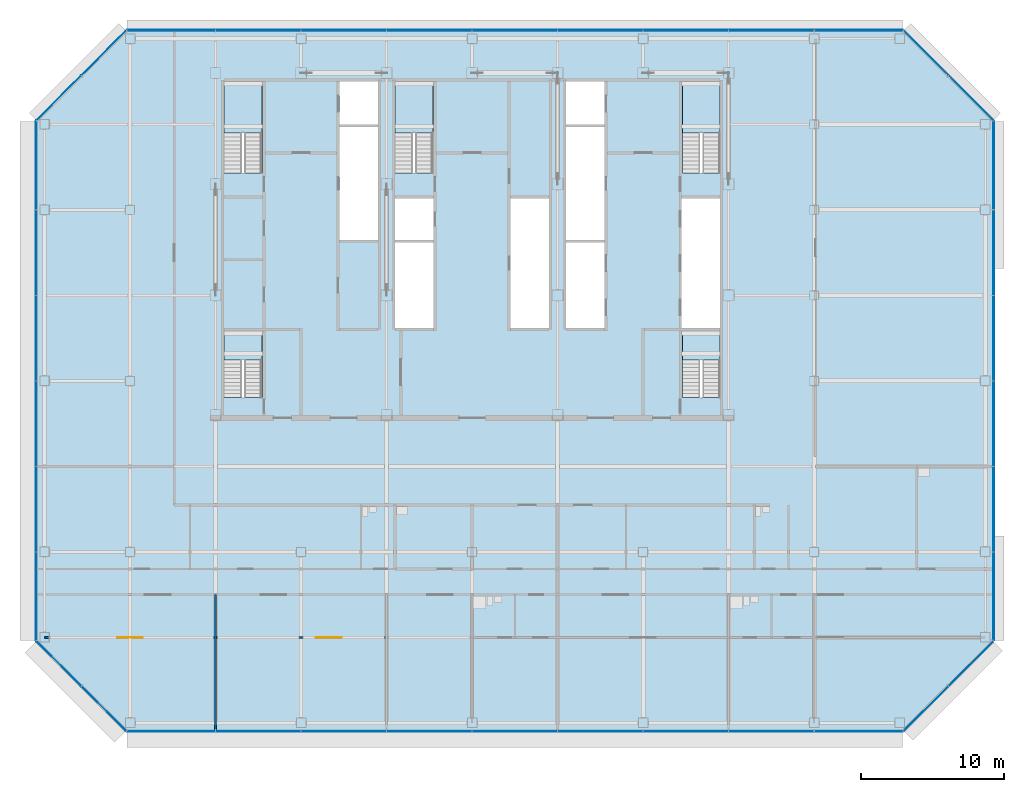
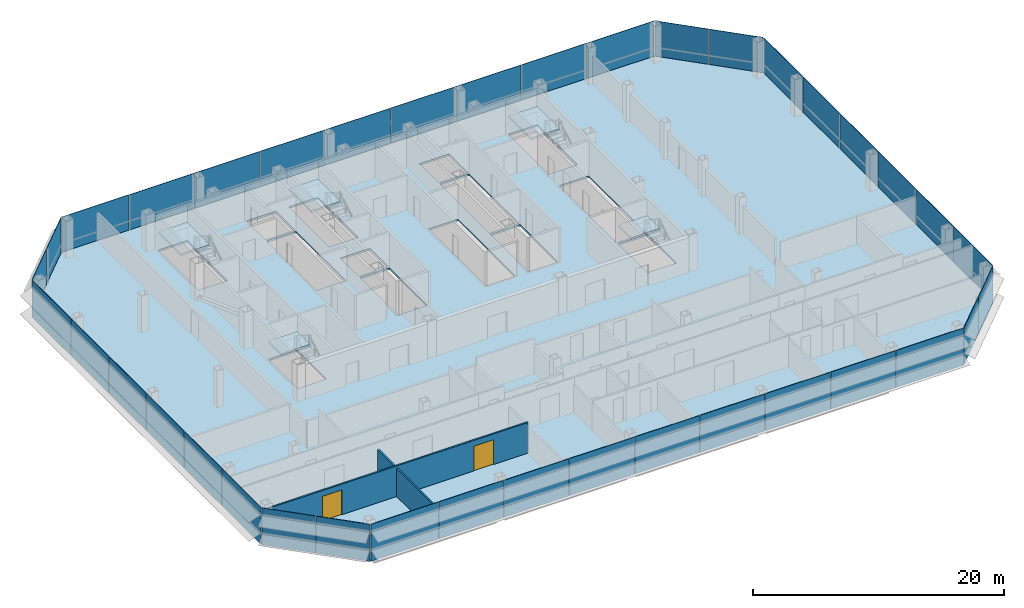
# One storey, part 18 of 24: 38 plates, 6 slabs, 2 doors, 2 walls, 2 openings, 13 elements without a shape of their own.
"""IFC4 building model written with IfcOpenShell, lengths in metres."""

from ifc_helpers import new_model, si_unit, direction, frame, frame_2d, origin, origin_2d, place, context, subcontext, project, spatial, polyline, rectangle, outline, extrude, material, layer, layer_set, type_object, element, fill, aggregate, save


model = new_model("IFC4")

# Units and contexts
model_context = context("Model", 3, precision=1e-05, world=origin(), true_north=direction((0.0, 1.0)))
body_context = subcontext(model_context, "Body", "Model", "MODEL_VIEW")
ifc_project = project(units=[si_unit("LENGTHUNIT", "METRE"), si_unit("AREAUNIT", "SQUARE_METRE"), si_unit("VOLUMEUNIT", "CUBIC_METRE"), si_unit("PLANEANGLEUNIT", "RADIAN"), si_unit("MASSUNIT", "GRAM", prefix="KILO")], contexts=[model_context])

# Site, building, storey
site_placement = place(None, origin())
site = spatial("IfcSite", under=ifc_project, at=site_placement, CompositionType="ELEMENT")
building_placement = place(site_placement, origin())
building = spatial("IfcBuilding", under=site, at=building_placement, Name="Sorahane Residences", CompositionType="ELEMENT")
storey_placement = place(building_placement, frame((0.0, 0.0, 170.800048828125)))
storey = spatial("IfcBuildingStorey", under=building, at=storey_placement, Name="L39", CompositionType="ELEMENT", Elevation=170.800048828125)

# Slab
ifc_material_1 = material(Name="Concrete C35", Category="concrete")
ifc_layer_1 = layer(ifc_material_1, 0.179931640625)
ifc_layer_set_1 = layer_set([ifc_layer_1], Name="Composite floor slab 180 mm Concrete C35")
slab_type_1 = type_object("IfcSlabType", Name="Composite floor slab 180 mm Concrete C35", PredefinedType="FLOOR", material=ifc_layer_set_1)
slab_1_placement = place(storey_placement, frame((0.0, 0.0, -0.179931640625)))
element("IfcSlab", 1, at=slab_1_placement, inside=storey, type_object=slab_type_1, Name="Slab L39", PredefinedType="FLOOR", context=body_context, shape_type="SweptSolid", body=[
    extrude(outline(polyline([(-0.24853515625, -0.60009765625), (-6.60009765625, 5.75146484375), (-6.60009765625, 42.24853515625), (-0.24853515625, 48.60009765625), (54.24853515625, 48.60009765625), (60.60009765625, 42.24853515625), (60.60009765625, 5.75146484375), (54.24853515625, -0.60009765625), (-0.24853515625, -0.60009765625)]), holes=[polyline([(18.60009765625, 27.699951171875), (21.300048828125, 27.699951171875), (21.300048828125, 33.699951171875), (18.60009765625, 33.699951171875), (18.60009765625, 27.699951171875)]), polyline([(38.699951171875, 27.699951171875), (41.39990234375, 27.699951171875), (41.39990234375, 36.800048828125), (38.699951171875, 36.800048828125), (38.699951171875, 27.699951171875)]), polyline([(30.60009765625, 27.699951171875), (33.300048828125, 27.699951171875), (33.300048828125, 33.699951171875), (30.60009765625, 33.699951171875), (30.60009765625, 27.699951171875)]), polyline([(30.60009765625, 42.0), (33.300048828125, 42.0), (33.300048828125, 45.0), (30.60009765625, 45.0), (30.60009765625, 42.0)]), polyline([(14.699951171875, 42.0), (17.39990234375, 42.0), (17.39990234375, 45.0), (14.699951171875, 45.0), (14.699951171875, 42.0)]), polyline([(9.25, 38.60009765625), (9.25, 45.0), (6.60009765625, 45.0), (6.60009765625, 38.60009765625), (9.25, 38.60009765625)]), polyline([(41.39990234375, 38.60009765625), (41.39990234375, 45.0), (38.75, 45.0), (38.75, 38.60009765625), (41.39990234375, 38.60009765625)]), polyline([(21.25, 38.60009765625), (21.25, 45.0), (18.60009765625, 45.0), (18.60009765625, 38.60009765625), (21.25, 38.60009765625)]), polyline([(9.25, 22.85009765625), (9.25, 27.5), (6.60009765625, 27.5), (6.60009765625, 22.85009765625), (9.25, 22.85009765625)]), polyline([(41.39990234375, 22.85009765625), (41.39990234375, 27.5), (38.75, 27.5), (38.75, 22.85009765625), (41.39990234375, 22.85009765625)]), polyline([(14.699951171875, 33.89990234375), (17.39990234375, 33.89990234375), (17.39990234375, 41.800048828125), (14.699951171875, 41.800048828125), (14.699951171875, 33.89990234375)]), polyline([(30.60009765625, 33.89990234375), (33.300048828125, 33.89990234375), (33.300048828125, 41.800048828125), (30.60009765625, 41.800048828125), (30.60009765625, 33.89990234375)]), polyline([(18.60009765625, 33.89990234375), (21.300048828125, 33.89990234375), (21.300048828125, 36.800048828125), (18.60009765625, 36.800048828125), (18.60009765625, 33.89990234375)]), polyline([(26.699951171875, 27.699951171875), (29.39990234375, 27.699951171875), (29.39990234375, 36.800048828125), (26.699951171875, 36.800048828125), (26.699951171875, 27.699951171875)])]), origin(), (0.0, 0.0, 1.0), 0.179931640625),
])

# Curtain wall, plates
ifc_material_2 = material(Name="Dark low-e glass and black anodised aluminium", Category="aluminium")
curtain_wall_type_1 = type_object("IfcCurtainWallType", Name="Curtain wall CW-1 Typical unitised wall", PredefinedType="NOTDEFINED", material=ifc_material_2)
curtain_wall_1_placement = place(storey_placement, origin())
curtain_wall_1 = element("IfcCurtainWall", 2, at=curtain_wall_1_placement, inside=storey, type_object=curtain_wall_type_1, Name="CW-1 curtain wall L39 S1", PredefinedType="NOTDEFINED")
ifc_material_3 = material(Name="Dark low-e glass with black ceramic frit", Category="glass")
ifc_layer_2 = layer(ifc_material_3, 0.0400390625)
ifc_layer_set_2 = layer_set([ifc_layer_2], Name="Curtain wall glass panel dark low-e with black frit spandrel band")
plate_type = type_object("IfcPlateType", Name="Curtain wall glass panel dark low-e with black frit spandrel band", PredefinedType="CURTAIN_PANEL", material=ifc_layer_set_2)
plate_1_placement = place(storey_placement, frame((2.88818359375, -0.60009765625, -0.18017578125), z_axis=(0.0, 0.0, 1.0), x_axis=(1.0, 0.0, 0.0)))
plate_1 = element("IfcPlate", 3, at=plate_1_placement, type_object=plate_type, Name="CW-1 glass panel L39 S1.1", PredefinedType="CURTAIN_PANEL", context=body_context, shape_type="SweptSolid", body=[
    extrude(rectangle(XDim=6.173583984375, YDim=0.0400390625, at=origin_2d()), origin(), (0.0, 0.0, 1.0), 3.60009765625),
])
plate_2_placement = place(storey_placement, frame((9.0, -0.60009765625, -0.18017578125), z_axis=(0.0, 0.0, 1.0), x_axis=(1.0, 0.0, 0.0)))
plate_2 = element("IfcPlate", 4, at=plate_2_placement, type_object=plate_type, Name="CW-1 glass panel L39 S1.2", PredefinedType="CURTAIN_PANEL", context=body_context, shape_type="SweptSolid", body=[
    extrude(rectangle(XDim=5.949951171875, YDim=0.0400390625, at=origin_2d()), origin(), (0.0, 0.0, 1.0), 3.60009765625),
])
plate_3_placement = place(storey_placement, frame((15.0, -0.60009765625, -0.18017578125), z_axis=(0.0, 0.0, 1.0), x_axis=(1.0, 0.0, 0.0)))
plate_3 = element("IfcPlate", 5, at=plate_3_placement, type_object=plate_type, Name="CW-1 glass panel L39 S1.3", PredefinedType="CURTAIN_PANEL", context=body_context, shape_type="SweptSolid", body=[
    extrude(rectangle(XDim=5.949951171875, YDim=0.0400390625, at=origin_2d()), origin(), (0.0, 0.0, 1.0), 3.60009765625),
])
plate_4_placement = place(storey_placement, frame((21.0, -0.60009765625, -0.18017578125), z_axis=(0.0, 0.0, 1.0), x_axis=(1.0, 0.0, 0.0)))
plate_4 = element("IfcPlate", 6, at=plate_4_placement, type_object=plate_type, Name="CW-1 glass panel L39 S1.4", PredefinedType="CURTAIN_PANEL", context=body_context, shape_type="SweptSolid", body=[
    extrude(rectangle(XDim=5.949951171875, YDim=0.0400390625, at=origin_2d()), origin(), (0.0, 0.0, 1.0), 3.60009765625),
])
plate_5_placement = place(storey_placement, frame((27.0, -0.60009765625, -0.18017578125), z_axis=(0.0, 0.0, 1.0), x_axis=(1.0, 0.0, 0.0)))
plate_5 = element("IfcPlate", 7, at=plate_5_placement, type_object=plate_type, Name="CW-1 glass panel L39 S1.5", PredefinedType="CURTAIN_PANEL", context=body_context, shape_type="SweptSolid", body=[
    extrude(rectangle(XDim=5.949951171875, YDim=0.0400390625, at=origin_2d()), origin(), (0.0, 0.0, 1.0), 3.60009765625),
])
plate_6_placement = place(storey_placement, frame((33.0, -0.60009765625, -0.18017578125), z_axis=(0.0, 0.0, 1.0), x_axis=(1.0, 0.0, 0.0)))
plate_6 = element("IfcPlate", 8, at=plate_6_placement, type_object=plate_type, Name="CW-1 glass panel L39 S1.6", PredefinedType="CURTAIN_PANEL", context=body_context, shape_type="SweptSolid", body=[
    extrude(rectangle(XDim=5.949951171875, YDim=0.0400390625, at=origin_2d()), origin(), (0.0, 0.0, 1.0), 3.60009765625),
])
plate_7_placement = place(storey_placement, frame((39.0, -0.60009765625, -0.18017578125), z_axis=(0.0, 0.0, 1.0), x_axis=(1.0, 0.0, 0.0)))
plate_7 = element("IfcPlate", 9, at=plate_7_placement, type_object=plate_type, Name="CW-1 glass panel L39 S1.7", PredefinedType="CURTAIN_PANEL", context=body_context, shape_type="SweptSolid", body=[
    extrude(rectangle(XDim=5.949951171875, YDim=0.0400390625, at=origin_2d()), origin(), (0.0, 0.0, 1.0), 3.60009765625),
])
plate_8_placement = place(storey_placement, frame((45.0, -0.60009765625, -0.18017578125), z_axis=(0.0, 0.0, 1.0), x_axis=(1.0, 0.0, 0.0)))
plate_8 = element("IfcPlate", 10, at=plate_8_placement, type_object=plate_type, Name="CW-1 glass panel L39 S1.8", PredefinedType="CURTAIN_PANEL", context=body_context, shape_type="SweptSolid", body=[
    extrude(rectangle(XDim=5.949951171875, YDim=0.0400390625, at=origin_2d()), origin(), (0.0, 0.0, 1.0), 3.60009765625),
])
plate_9_placement = place(storey_placement, frame((51.11181640625, -0.60009765625, -0.18017578125), z_axis=(0.0, 0.0, 1.0), x_axis=(1.0, 0.0, 0.0)))
plate_9 = element("IfcPlate", 11, at=plate_9_placement, type_object=plate_type, Name="CW-1 glass panel L39 S1.9", PredefinedType="CURTAIN_PANEL", context=body_context, shape_type="SweptSolid", body=[
    extrude(rectangle(XDim=6.173583984375, YDim=0.0400390625, at=origin_2d()), origin(), (0.0, 0.0, 1.0), 3.60009765625),
])
aggregate(curtain_wall_1, [plate_1, plate_2, plate_3, plate_4, plate_5, plate_6, plate_7, plate_8, plate_9])

ifc_material_4 = material(Name="Dark low-e glass and black anodised aluminium", Category="aluminium")
curtain_wall_type_2 = type_object("IfcCurtainWallType", Name="Curtain wall CW-2 Chamfer unitised wall", PredefinedType="NOTDEFINED", material=ifc_material_4)
curtain_wall_2_placement = place(storey_placement, origin())
curtain_wall_2 = element("IfcCurtainWall", 12, at=curtain_wall_2_placement, inside=storey, type_object=curtain_wall_type_2, Name="CW-2 curtain wall L39 SE1", PredefinedType="NOTDEFINED")
plate_10_placement = place(storey_placement, frame((55.84521484375, 0.996826171875, -0.18017578125), z_axis=(0.0, 0.0, 1.0), x_axis=(0.707106781187, 0.707106781187, 0.0)))
plate_10 = element("IfcPlate", 13, at=plate_10_placement, type_object=plate_type, Name="CW-2 glass panel L39 SE1.1", PredefinedType="CURTAIN_PANEL", context=body_context, shape_type="SweptSolid", body=[
    extrude(rectangle(XDim=4.416259765625, YDim=0.0400390625, at=origin_2d()), origin(), (0.0, 0.0, 1.0), 3.60009765625),
])
plate_11_placement = place(storey_placement, frame((59.003173828125, 4.15478515625, -0.18017578125), z_axis=(0.0, 0.0, 1.0), x_axis=(0.707106781187, 0.707106781187, 0.0)))
plate_11 = element("IfcPlate", 14, at=plate_11_placement, type_object=plate_type, Name="CW-2 glass panel L39 SE1.2", PredefinedType="CURTAIN_PANEL", context=body_context, shape_type="SweptSolid", body=[
    extrude(rectangle(XDim=4.416259765625, YDim=0.0400390625, at=origin_2d()), origin(), (0.0, 0.0, 1.0), 3.60009765625),
])
aggregate(curtain_wall_2, [plate_10, plate_11])

curtain_wall_3_placement = place(storey_placement, origin())
curtain_wall_3 = element("IfcCurtainWall", 15, at=curtain_wall_3_placement, inside=storey, type_object=curtain_wall_type_1, Name="CW-1 curtain wall L39 E1", PredefinedType="NOTDEFINED")
plate_12_placement = place(storey_placement, frame((60.60009765625, 8.88818359375, -0.18017578125), z_axis=(0.0, 0.0, 1.0), x_axis=(0.0, 1.0, 0.0)))
plate_12 = element("IfcPlate", 16, at=plate_12_placement, type_object=plate_type, Name="CW-1 glass panel L39 E1.1", PredefinedType="CURTAIN_PANEL", context=body_context, shape_type="SweptSolid", body=[
    extrude(rectangle(XDim=6.173583984375, YDim=0.0400390625, at=origin_2d()), origin(), (0.0, 0.0, 1.0), 3.60009765625),
])
plate_13_placement = place(storey_placement, frame((60.60009765625, 15.0, -0.18017578125), z_axis=(0.0, 0.0, 1.0), x_axis=(0.0, 1.0, 0.0)))
plate_13 = element("IfcPlate", 17, at=plate_13_placement, type_object=plate_type, Name="CW-1 glass panel L39 E1.2", PredefinedType="CURTAIN_PANEL", context=body_context, shape_type="SweptSolid", body=[
    extrude(rectangle(XDim=5.949951171875, YDim=0.0400390625, at=origin_2d()), origin(), (0.0, 0.0, 1.0), 3.60009765625),
])
plate_14_placement = place(storey_placement, frame((60.60009765625, 21.0, -0.18017578125), z_axis=(0.0, 0.0, 1.0), x_axis=(0.0, 1.0, 0.0)))
plate_14 = element("IfcPlate", 18, at=plate_14_placement, type_object=plate_type, Name="CW-1 glass panel L39 E1.3", PredefinedType="CURTAIN_PANEL", context=body_context, shape_type="SweptSolid", body=[
    extrude(rectangle(XDim=5.949951171875, YDim=0.0400390625, at=origin_2d()), origin(), (0.0, 0.0, 1.0), 3.60009765625),
])
plate_15_placement = place(storey_placement, frame((60.60009765625, 27.0, -0.18017578125), z_axis=(0.0, 0.0, 1.0), x_axis=(0.0, 1.0, 0.0)))
plate_15 = element("IfcPlate", 19, at=plate_15_placement, type_object=plate_type, Name="CW-1 glass panel L39 E1.4", PredefinedType="CURTAIN_PANEL", context=body_context, shape_type="SweptSolid", body=[
    extrude(rectangle(XDim=5.949951171875, YDim=0.0400390625, at=origin_2d()), origin(), (0.0, 0.0, 1.0), 3.60009765625),
])
plate_16_placement = place(storey_placement, frame((60.60009765625, 33.0, -0.18017578125), z_axis=(0.0, 0.0, 1.0), x_axis=(0.0, 1.0, 0.0)))
plate_16 = element("IfcPlate", 20, at=plate_16_placement, type_object=plate_type, Name="CW-1 glass panel L39 E1.5", PredefinedType="CURTAIN_PANEL", context=body_context, shape_type="SweptSolid", body=[
    extrude(rectangle(XDim=5.949951171875, YDim=0.0400390625, at=origin_2d()), origin(), (0.0, 0.0, 1.0), 3.60009765625),
])
plate_17_placement = place(storey_placement, frame((60.60009765625, 39.11181640625, -0.18017578125), z_axis=(0.0, 0.0, 1.0), x_axis=(0.0, 1.0, 0.0)))
plate_17 = element("IfcPlate", 21, at=plate_17_placement, type_object=plate_type, Name="CW-1 glass panel L39 E1.6", PredefinedType="CURTAIN_PANEL", context=body_context, shape_type="SweptSolid", body=[
    extrude(rectangle(XDim=6.173583984375, YDim=0.0400390625, at=origin_2d()), origin(), (0.0, 0.0, 1.0), 3.60009765625),
])
aggregate(curtain_wall_3, [plate_12, plate_13, plate_14, plate_15, plate_16, plate_17])

curtain_wall_4_placement = place(storey_placement, origin())
curtain_wall_4 = element("IfcCurtainWall", 22, at=curtain_wall_4_placement, inside=storey, type_object=curtain_wall_type_2, Name="CW-2 curtain wall L39 NE1", PredefinedType="NOTDEFINED")
plate_18_placement = place(storey_placement, frame((59.003173828125, 43.84521484375, -0.18017578125), z_axis=(0.0, 0.0, 1.0), x_axis=(-0.707106781187, 0.707106781187, 0.0)))
plate_18 = element("IfcPlate", 23, at=plate_18_placement, type_object=plate_type, Name="CW-2 glass panel L39 NE1.1", PredefinedType="CURTAIN_PANEL", context=body_context, shape_type="SweptSolid", body=[
    extrude(rectangle(XDim=4.416259765625, YDim=0.0400390625, at=origin_2d()), origin(), (0.0, 0.0, 1.0), 3.60009765625),
])
plate_19_placement = place(storey_placement, frame((55.84521484375, 47.003173828125, -0.18017578125), z_axis=(0.0, 0.0, 1.0), x_axis=(-0.707106781187, 0.707106781187, 0.0)))
plate_19 = element("IfcPlate", 24, at=plate_19_placement, type_object=plate_type, Name="CW-2 glass panel L39 NE1.2", PredefinedType="CURTAIN_PANEL", context=body_context, shape_type="SweptSolid", body=[
    extrude(rectangle(XDim=4.416259765625, YDim=0.0400390625, at=origin_2d()), origin(), (0.0, 0.0, 1.0), 3.60009765625),
])
aggregate(curtain_wall_4, [plate_18, plate_19])

curtain_wall_5_placement = place(storey_placement, origin())
curtain_wall_5 = element("IfcCurtainWall", 25, at=curtain_wall_5_placement, inside=storey, type_object=curtain_wall_type_1, Name="CW-1 curtain wall L39 N1", PredefinedType="NOTDEFINED")
plate_20_placement = place(storey_placement, frame((51.11181640625, 48.60009765625, -0.18017578125), z_axis=(0.0, 0.0, 1.0), x_axis=(-1.0, 0.0, 0.0)))
plate_20 = element("IfcPlate", 26, at=plate_20_placement, type_object=plate_type, Name="CW-1 glass panel L39 N1.1", PredefinedType="CURTAIN_PANEL", context=body_context, shape_type="SweptSolid", body=[
    extrude(rectangle(XDim=6.173583984375, YDim=0.0400390625, at=origin_2d()), origin(), (0.0, 0.0, 1.0), 3.60009765625),
])
plate_21_placement = place(storey_placement, frame((45.0, 48.60009765625, -0.18017578125), z_axis=(0.0, 0.0, 1.0), x_axis=(-1.0, 0.0, 0.0)))
plate_21 = element("IfcPlate", 27, at=plate_21_placement, type_object=plate_type, Name="CW-1 glass panel L39 N1.2", PredefinedType="CURTAIN_PANEL", context=body_context, shape_type="SweptSolid", body=[
    extrude(rectangle(XDim=5.949951171875, YDim=0.0400390625, at=origin_2d()), origin(), (0.0, 0.0, 1.0), 3.60009765625),
])
plate_22_placement = place(storey_placement, frame((39.0, 48.60009765625, -0.18017578125), z_axis=(0.0, 0.0, 1.0), x_axis=(-1.0, 0.0, 0.0)))
plate_22 = element("IfcPlate", 28, at=plate_22_placement, type_object=plate_type, Name="CW-1 glass panel L39 N1.3", PredefinedType="CURTAIN_PANEL", context=body_context, shape_type="SweptSolid", body=[
    extrude(rectangle(XDim=5.949951171875, YDim=0.0400390625, at=origin_2d()), origin(), (0.0, 0.0, 1.0), 3.60009765625),
])
plate_23_placement = place(storey_placement, frame((33.0, 48.60009765625, -0.18017578125), z_axis=(0.0, 0.0, 1.0), x_axis=(-1.0, 0.0, 0.0)))
plate_23 = element("IfcPlate", 29, at=plate_23_placement, type_object=plate_type, Name="CW-1 glass panel L39 N1.4", PredefinedType="CURTAIN_PANEL", context=body_context, shape_type="SweptSolid", body=[
    extrude(rectangle(XDim=5.949951171875, YDim=0.0400390625, at=origin_2d()), origin(), (0.0, 0.0, 1.0), 3.60009765625),
])
plate_24_placement = place(storey_placement, frame((27.0, 48.60009765625, -0.18017578125), z_axis=(0.0, 0.0, 1.0), x_axis=(-1.0, 0.0, 0.0)))
plate_24 = element("IfcPlate", 30, at=plate_24_placement, type_object=plate_type, Name="CW-1 glass panel L39 N1.5", PredefinedType="CURTAIN_PANEL", context=body_context, shape_type="SweptSolid", body=[
    extrude(rectangle(XDim=5.949951171875, YDim=0.0400390625, at=origin_2d()), origin(), (0.0, 0.0, 1.0), 3.60009765625),
])
plate_25_placement = place(storey_placement, frame((21.0, 48.60009765625, -0.18017578125), z_axis=(0.0, 0.0, 1.0), x_axis=(-1.0, 0.0, 0.0)))
plate_25 = element("IfcPlate", 31, at=plate_25_placement, type_object=plate_type, Name="CW-1 glass panel L39 N1.6", PredefinedType="CURTAIN_PANEL", context=body_context, shape_type="SweptSolid", body=[
    extrude(rectangle(XDim=5.949951171875, YDim=0.0400390625, at=origin_2d()), origin(), (0.0, 0.0, 1.0), 3.60009765625),
])
plate_26_placement = place(storey_placement, frame((15.0, 48.60009765625, -0.18017578125), z_axis=(0.0, 0.0, 1.0), x_axis=(-1.0, 0.0, 0.0)))
plate_26 = element("IfcPlate", 32, at=plate_26_placement, type_object=plate_type, Name="CW-1 glass panel L39 N1.7", PredefinedType="CURTAIN_PANEL", context=body_context, shape_type="SweptSolid", body=[
    extrude(rectangle(XDim=5.949951171875, YDim=0.0400390625, at=origin_2d()), origin(), (0.0, 0.0, 1.0), 3.60009765625),
])
plate_27_placement = place(storey_placement, frame((9.0, 48.60009765625, -0.18017578125), z_axis=(0.0, 0.0, 1.0), x_axis=(-1.0, 0.0, 0.0)))
plate_27 = element("IfcPlate", 33, at=plate_27_placement, type_object=plate_type, Name="CW-1 glass panel L39 N1.8", PredefinedType="CURTAIN_PANEL", context=body_context, shape_type="SweptSolid", body=[
    extrude(rectangle(XDim=5.949951171875, YDim=0.0400390625, at=origin_2d()), origin(), (0.0, 0.0, 1.0), 3.60009765625),
])
plate_28_placement = place(storey_placement, frame((2.88818359375, 48.60009765625, -0.18017578125), z_axis=(0.0, 0.0, 1.0), x_axis=(-1.0, 0.0, 0.0)))
plate_28 = element("IfcPlate", 34, at=plate_28_placement, type_object=plate_type, Name="CW-1 glass panel L39 N1.9", PredefinedType="CURTAIN_PANEL", context=body_context, shape_type="SweptSolid", body=[
    extrude(rectangle(XDim=6.173583984375, YDim=0.0400390625, at=origin_2d()), origin(), (0.0, 0.0, 1.0), 3.60009765625),
])
aggregate(curtain_wall_5, [plate_20, plate_21, plate_22, plate_23, plate_24, plate_25, plate_26, plate_27, plate_28])

curtain_wall_6_placement = place(storey_placement, origin())
curtain_wall_6 = element("IfcCurtainWall", 35, at=curtain_wall_6_placement, inside=storey, type_object=curtain_wall_type_2, Name="CW-2 curtain wall L39 NW1", PredefinedType="NOTDEFINED")
plate_29_placement = place(storey_placement, frame((-1.84521484375, 47.003173828125, -0.18017578125), z_axis=(0.0, 0.0, 1.0), x_axis=(-0.707106781187, -0.707106781187, 0.0)))
plate_29 = element("IfcPlate", 36, at=plate_29_placement, type_object=plate_type, Name="CW-2 glass panel L39 NW1.1", PredefinedType="CURTAIN_PANEL", context=body_context, shape_type="SweptSolid", body=[
    extrude(rectangle(XDim=4.416259765625, YDim=0.0400390625, at=origin_2d()), origin(), (0.0, 0.0, 1.0), 3.60009765625),
])
plate_30_placement = place(storey_placement, frame((-5.003173828125, 43.84521484375, -0.18017578125), z_axis=(0.0, 0.0, 1.0), x_axis=(-0.707106781187, -0.707106781187, 0.0)))
plate_30 = element("IfcPlate", 37, at=plate_30_placement, type_object=plate_type, Name="CW-2 glass panel L39 NW1.2", PredefinedType="CURTAIN_PANEL", context=body_context, shape_type="SweptSolid", body=[
    extrude(rectangle(XDim=4.416259765625, YDim=0.0400390625, at=origin_2d()), origin(), (0.0, 0.0, 1.0), 3.60009765625),
])
aggregate(curtain_wall_6, [plate_29, plate_30])

curtain_wall_7_placement = place(storey_placement, origin())
curtain_wall_7 = element("IfcCurtainWall", 38, at=curtain_wall_7_placement, inside=storey, type_object=curtain_wall_type_1, Name="CW-1 curtain wall L39 W1", PredefinedType="NOTDEFINED")
plate_31_placement = place(storey_placement, frame((-6.60009765625, 39.11181640625, -0.18017578125), z_axis=(0.0, 0.0, 1.0), x_axis=(0.0, -1.0, 0.0)))
plate_31 = element("IfcPlate", 39, at=plate_31_placement, type_object=plate_type, Name="CW-1 glass panel L39 W1.1", PredefinedType="CURTAIN_PANEL", context=body_context, shape_type="SweptSolid", body=[
    extrude(rectangle(XDim=6.173583984375, YDim=0.0400390625, at=origin_2d()), origin(), (0.0, 0.0, 1.0), 3.60009765625),
])
plate_32_placement = place(storey_placement, frame((-6.60009765625, 33.0, -0.18017578125), z_axis=(0.0, 0.0, 1.0), x_axis=(0.0, -1.0, 0.0)))
plate_32 = element("IfcPlate", 40, at=plate_32_placement, type_object=plate_type, Name="CW-1 glass panel L39 W1.2", PredefinedType="CURTAIN_PANEL", context=body_context, shape_type="SweptSolid", body=[
    extrude(rectangle(XDim=5.949951171875, YDim=0.0400390625, at=origin_2d()), origin(), (0.0, 0.0, 1.0), 3.60009765625),
])
plate_33_placement = place(storey_placement, frame((-6.60009765625, 27.0, -0.18017578125), z_axis=(0.0, 0.0, 1.0), x_axis=(0.0, -1.0, 0.0)))
plate_33 = element("IfcPlate", 41, at=plate_33_placement, type_object=plate_type, Name="CW-1 glass panel L39 W1.3", PredefinedType="CURTAIN_PANEL", context=body_context, shape_type="SweptSolid", body=[
    extrude(rectangle(XDim=5.949951171875, YDim=0.0400390625, at=origin_2d()), origin(), (0.0, 0.0, 1.0), 3.60009765625),
])
plate_34_placement = place(storey_placement, frame((-6.60009765625, 21.0, -0.18017578125), z_axis=(0.0, 0.0, 1.0), x_axis=(0.0, -1.0, 0.0)))
plate_34 = element("IfcPlate", 42, at=plate_34_placement, type_object=plate_type, Name="CW-1 glass panel L39 W1.4", PredefinedType="CURTAIN_PANEL", context=body_context, shape_type="SweptSolid", body=[
    extrude(rectangle(XDim=5.949951171875, YDim=0.0400390625, at=origin_2d()), origin(), (0.0, 0.0, 1.0), 3.60009765625),
])
plate_35_placement = place(storey_placement, frame((-6.60009765625, 15.0, -0.18017578125), z_axis=(0.0, 0.0, 1.0), x_axis=(0.0, -1.0, 0.0)))
plate_35 = element("IfcPlate", 43, at=plate_35_placement, type_object=plate_type, Name="CW-1 glass panel L39 W1.5", PredefinedType="CURTAIN_PANEL", context=body_context, shape_type="SweptSolid", body=[
    extrude(rectangle(XDim=5.949951171875, YDim=0.0400390625, at=origin_2d()), origin(), (0.0, 0.0, 1.0), 3.60009765625),
])
plate_36_placement = place(storey_placement, frame((-6.60009765625, 8.88818359375, -0.18017578125), z_axis=(0.0, 0.0, 1.0), x_axis=(0.0, -1.0, 0.0)))
plate_36 = element("IfcPlate", 44, at=plate_36_placement, type_object=plate_type, Name="CW-1 glass panel L39 W1.6", PredefinedType="CURTAIN_PANEL", context=body_context, shape_type="SweptSolid", body=[
    extrude(rectangle(XDim=6.173583984375, YDim=0.0400390625, at=origin_2d()), origin(), (0.0, 0.0, 1.0), 3.60009765625),
])
aggregate(curtain_wall_7, [plate_31, plate_32, plate_33, plate_34, plate_35, plate_36])

curtain_wall_8_placement = place(storey_placement, origin())
curtain_wall_8 = element("IfcCurtainWall", 45, at=curtain_wall_8_placement, inside=storey, type_object=curtain_wall_type_2, Name="CW-2 curtain wall L39 SW1", PredefinedType="NOTDEFINED")
plate_37_placement = place(storey_placement, frame((-5.003173828125, 4.15478515625, -0.18017578125), z_axis=(0.0, 0.0, 1.0), x_axis=(0.707106781187, -0.707106781187, 0.0)))
plate_37 = element("IfcPlate", 46, at=plate_37_placement, type_object=plate_type, Name="CW-2 glass panel L39 SW1.1", PredefinedType="CURTAIN_PANEL", context=body_context, shape_type="SweptSolid", body=[
    extrude(rectangle(XDim=4.416259765625, YDim=0.0400390625, at=origin_2d()), origin(), (0.0, 0.0, 1.0), 3.60009765625),
])
plate_38_placement = place(storey_placement, frame((-1.84521484375, 0.996826171875, -0.18017578125), z_axis=(0.0, 0.0, 1.0), x_axis=(0.707106781187, -0.707106781187, 0.0)))
plate_38 = element("IfcPlate", 47, at=plate_38_placement, type_object=plate_type, Name="CW-2 glass panel L39 SW1.2", PredefinedType="CURTAIN_PANEL", context=body_context, shape_type="SweptSolid", body=[
    extrude(rectangle(XDim=4.416259765625, YDim=0.0400390625, at=origin_2d()), origin(), (0.0, 0.0, 1.0), 3.60009765625),
])
aggregate(curtain_wall_8, [plate_37, plate_38])

# Stair, slab
ifc_material_5 = material(Name="Concrete C40", Category="concrete")
stair_type = type_object("IfcStairType", Name="Dog-leg stair 1250 Concrete C40", PredefinedType="HALF_TURN_STAIR", material=ifc_material_5)
stair_1_placement = place(storey_placement, origin())
stair_1 = element("IfcStair", 48, at=stair_1_placement, inside=storey, type_object=stair_type, Name="L39 Stair S1", PredefinedType="HALF_TURN_STAIR")
ifc_material_6 = material(Name="Concrete C40", Category="concrete")
ifc_layer_3 = layer(ifc_material_6, 0.199951171875)
ifc_layer_set_3 = layer_set([ifc_layer_3], Name="Stair landing 200 Concrete C40")
slab_type_2 = type_object("IfcSlabType", Name="Stair landing 200 Concrete C40", PredefinedType="LANDING", material=ifc_layer_set_3)
slab_2_placement = place(storey_placement, frame((0.0, 0.0, 1.599853515625)))
slab_2 = element("IfcSlab", 49, at=slab_2_placement, type_object=slab_type_2, Name="S1 landing 1", PredefinedType="LANDING", context=body_context, shape_type="SweptSolid", body=[
    extrude(outline(polyline([(9.25, 41.39990234375), (9.25, 45.0), (6.60009765625, 45.0), (6.60009765625, 41.39990234375), (9.25, 41.39990234375)])), origin(), (0.0, 0.0, 1.0), 0.2001953125),
])
aggregate(stair_1, [slab_2])

stair_2_placement = place(storey_placement, origin())
stair_2 = element("IfcStair", 50, at=stair_2_placement, inside=storey, type_object=stair_type, Name="L39 Stair S2", PredefinedType="HALF_TURN_STAIR")
slab_3_placement = place(storey_placement, frame((0.0, 0.0, 1.599853515625)))
slab_3 = element("IfcSlab", 51, at=slab_3_placement, type_object=slab_type_2, Name="S2 landing 1", PredefinedType="LANDING", context=body_context, shape_type="SweptSolid", body=[
    extrude(outline(polyline([(41.39990234375, 41.39990234375), (41.39990234375, 45.0), (38.75, 45.0), (38.75, 41.39990234375), (41.39990234375, 41.39990234375)])), origin(), (0.0, 0.0, 1.0), 0.2001953125),
])
aggregate(stair_2, [slab_3])

stair_3_placement = place(storey_placement, origin())
stair_3 = element("IfcStair", 52, at=stair_3_placement, inside=storey, type_object=stair_type, Name="L39 Stair S3", PredefinedType="HALF_TURN_STAIR")
slab_4_placement = place(storey_placement, frame((0.0, 0.0, 1.599853515625)))
slab_4 = element("IfcSlab", 53, at=slab_4_placement, type_object=slab_type_2, Name="S3 landing 1", PredefinedType="LANDING", context=body_context, shape_type="SweptSolid", body=[
    extrude(outline(polyline([(21.25, 41.39990234375), (21.25, 45.0), (18.60009765625, 45.0), (18.60009765625, 41.39990234375), (21.25, 41.39990234375)])), origin(), (0.0, 0.0, 1.0), 0.2001953125),
])
aggregate(stair_3, [slab_4])

stair_4_placement = place(storey_placement, origin())
stair_4 = element("IfcStair", 54, at=stair_4_placement, inside=storey, type_object=stair_type, Name="L39 Stair S4", PredefinedType="HALF_TURN_STAIR")
slab_5_placement = place(storey_placement, frame((0.0, 0.0, 1.599853515625)))
slab_5 = element("IfcSlab", 55, at=slab_5_placement, type_object=slab_type_2, Name="S4 landing 1", PredefinedType="LANDING", context=body_context, shape_type="SweptSolid", body=[
    extrude(outline(polyline([(9.25, 25.449951171875), (9.25, 27.5), (6.60009765625, 27.5), (6.60009765625, 25.449951171875), (9.25, 25.449951171875)])), origin(), (0.0, 0.0, 1.0), 0.2001953125),
])
aggregate(stair_4, [slab_5])

stair_5_placement = place(storey_placement, origin())
stair_5 = element("IfcStair", 56, at=stair_5_placement, inside=storey, type_object=stair_type, Name="L39 Stair S5", PredefinedType="HALF_TURN_STAIR")
slab_6_placement = place(storey_placement, frame((0.0, 0.0, 1.599853515625)))
slab_6 = element("IfcSlab", 57, at=slab_6_placement, type_object=slab_type_2, Name="S5 landing 1", PredefinedType="LANDING", context=body_context, shape_type="SweptSolid", body=[
    extrude(outline(polyline([(41.39990234375, 25.449951171875), (41.39990234375, 27.5), (38.75, 27.5), (38.75, 25.449951171875), (41.39990234375, 25.449951171875)])), origin(), (0.0, 0.0, 1.0), 0.2001953125),
])
aggregate(stair_5, [slab_6])

# Wall
ifc_material_7 = material(Name="Gypsum board partition on steel studs", Category="steel")
ifc_layer_4 = layer(ifc_material_7, 0.14990234375)
ifc_layer_set_4 = layer_set([ifc_layer_4], Name="Partition 150 EI 90")
wall_type = type_object("IfcWallType", Name="Partition 150 EI 90", PredefinedType="PARTITIONING", material=ifc_layer_set_4)
wall_1_placement = place(storey_placement, frame((6.0, -0.60009765625, 0.0), z_axis=(0.0, 0.0, 1.0), x_axis=(0.0, 1.0, 0.0)))
element("IfcWall", 58, at=wall_1_placement, inside=storey, type_object=wall_type, Name="L39 partition", PredefinedType="PARTITIONING", context=body_context, shape_type="SweptSolid", body=[
    extrude(rectangle(XDim=9.60009765625, YDim=0.14990234375, at=frame_2d((4.800048828125, 0.0))), origin(), (0.0, 0.0, 1.0), 2.719970703125),
])

# Wall, openings, doors
wall_2_placement = place(storey_placement, frame((-6.0, 6.0, 0.0), z_axis=(0.0, 0.0, 1.0), x_axis=(1.0, 0.0, 0.0)))
wall_2 = element("IfcWall", 59, at=wall_2_placement, inside=storey, type_object=wall_type, Name="L39 partition", PredefinedType="PARTITIONING", context=body_context, shape_type="SweptSolid", body=[
    extrude(rectangle(XDim=24.0, YDim=0.14990234375, at=frame_2d((12.0, 0.0))), origin(), (0.0, 0.0, 1.0), 2.969970703125),
])
opening_1_placement = place(wall_2_placement, frame((5.10009765625, 0.0, 0.0)))
opening_1 = element("IfcOpeningElement", 60, at=opening_1_placement, cuts=wall_2, Name="Opening L39-10", PredefinedType="OPENING", context=body_context, shape_type="SweptSolid", body=[
    extrude(rectangle(XDim=1.800048828125, YDim=2.39990234375, at=frame_2d((0.89990234375, 1.199951171875))), frame((0.0, 0.0849609375, 0.0), z_axis=(0.0, -1.0, 0.0), x_axis=(1.0, 0.0, 0.0)), (0.0, 0.0, 1.0), 0.169921875),
])
opening_2_placement = place(wall_2_placement, frame((19.0400390625, 0.0, 0.0)))
opening_2 = element("IfcOpeningElement", 61, at=opening_2_placement, cuts=wall_2, Name="Opening L39-11", PredefinedType="OPENING", context=body_context, shape_type="SweptSolid", body=[
    extrude(rectangle(XDim=1.800048828125, YDim=2.39990234375, at=frame_2d((0.89990234375, 1.199951171875))), frame((0.0, 0.0849609375, 0.0), z_axis=(0.0, -1.0, 0.0), x_axis=(1.0, 0.0, 0.0)), (0.0, 0.0, 1.0), 0.169921875),
])
ifc_material_8 = material(Name="Timber veneered fire door", Category="wood")
door_type = type_object("IfcDoorType", Name="Double door 1800x2400 FD30", OperationType="NOTDEFINED", PredefinedType="DOOR", material=ifc_material_8)
door_1_placement = place(opening_1_placement, frame((1.800048828125, 0.0, 0.0), z_axis=(0.0, 0.0, 1.0), x_axis=(-1.0, 0.0, 0.0)))
door_1 = element("IfcDoor", 62, at=door_1_placement, inside=storey, type_object=door_type, Name="Double door L39-10", OperationType="SINGLE_SWING_RIGHT", OverallHeight=2.39990234375, OverallWidth=1.800048828125, PredefinedType="DOOR", context=body_context, shape_type="SweptSolid", body=[
    extrude(rectangle(XDim=1.800048828125, YDim=2.39990234375, at=frame_2d((0.89990234375, 1.199951171875))), frame((0.0, 0.02490234375, 0.0), z_axis=(0.0, -1.0, 0.0), x_axis=(1.0, 0.0, 0.0)), (0.0, 0.0, 1.0), 0.050048828125),
])
fill(opening_1, door_1)
door_2_placement = place(opening_2_placement, frame((1.800048828125, 0.0, 0.0), z_axis=(0.0, 0.0, 1.0), x_axis=(-1.0, 0.0, 0.0)))
door_2 = element("IfcDoor", 63, at=door_2_placement, inside=storey, type_object=door_type, Name="Double door L39-11", OperationType="SINGLE_SWING_RIGHT", OverallHeight=2.39990234375, OverallWidth=1.800048828125, PredefinedType="DOOR", context=body_context, shape_type="SweptSolid", body=[
    extrude(rectangle(XDim=1.800048828125, YDim=2.39990234375, at=frame_2d((0.89990234375, 1.199951171875))), frame((0.0, 0.02490234375, 0.0), z_axis=(0.0, -1.0, 0.0), x_axis=(1.0, 0.0, 0.0)), (0.0, 0.0, 1.0), 0.050048828125),
])
fill(opening_2, door_2)

save(model, "model.ifc")
